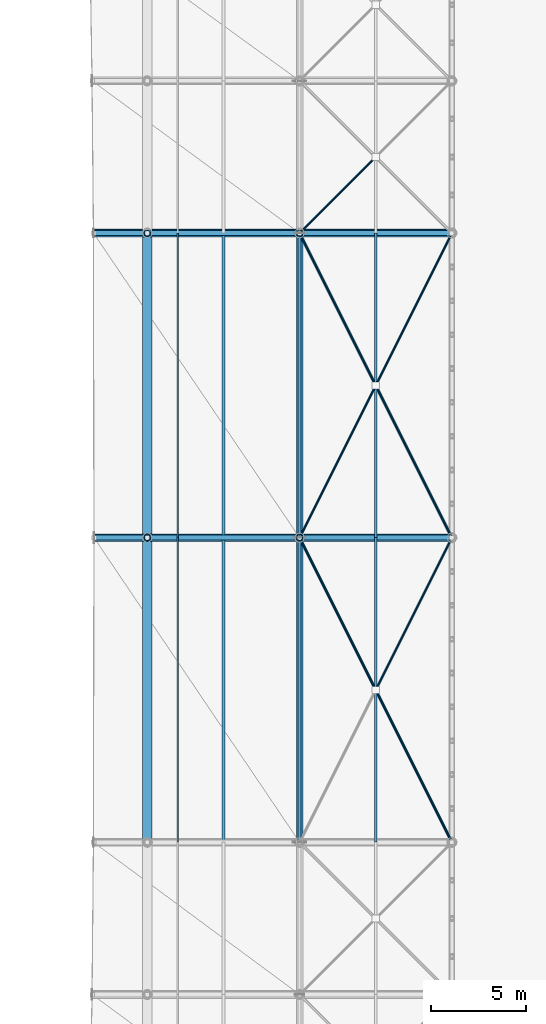
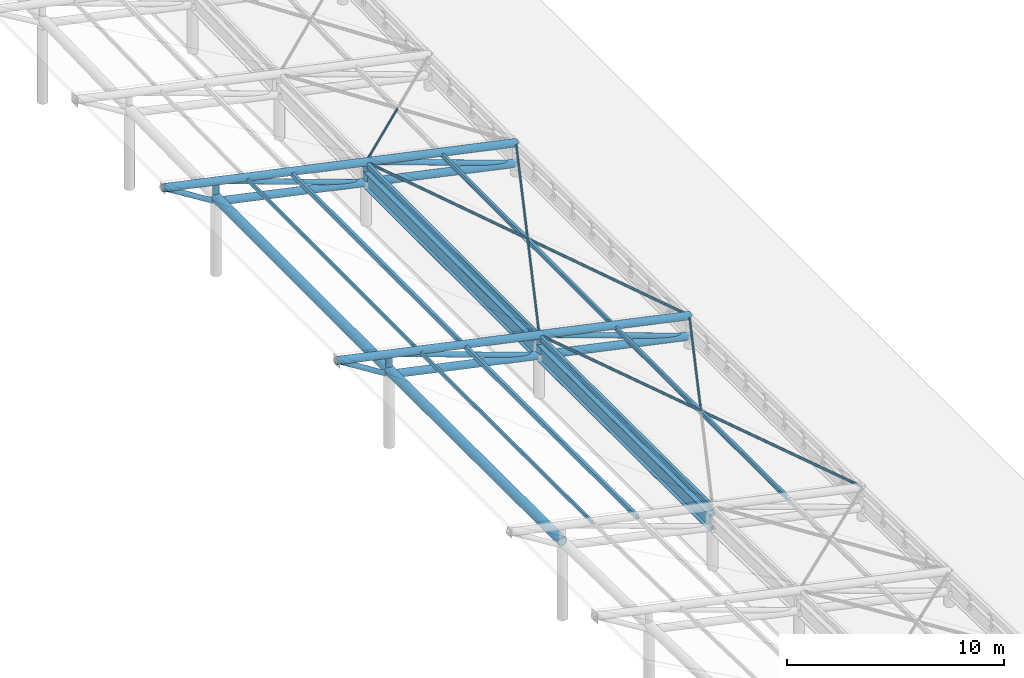
# One storey, part 15 of 41: 28 members, 4 beams.
"""IFC4 building model written with IfcOpenShell, lengths in metres."""

from ifc_helpers import new_model, si_unit, direction, frame, origin, origin_2d, place, context, subcontext, project, spatial, hollow_rectangle, hollow_circle, i_section, extrude, material, material_profile, profile_set, type_object, element, save


model = new_model("IFC4")

# Units and contexts
model_context = context("Model", 3, precision=1e-05, world=origin(), true_north=direction((0.0, 1.0)))
body_context = subcontext(model_context, "Body", "Model", "MODEL_VIEW")
ifc_project = project(units=[si_unit("LENGTHUNIT", "METRE"), si_unit("AREAUNIT", "SQUARE_METRE"), si_unit("VOLUMEUNIT", "CUBIC_METRE"), si_unit("PLANEANGLEUNIT", "RADIAN"), si_unit("MASSUNIT", "GRAM", prefix="KILO")], contexts=[model_context])

# Site, building, storey
site_placement = place(None, origin())
site = spatial("IfcSite", under=ifc_project, at=site_placement, CompositionType="ELEMENT")
building_placement = place(site_placement, origin())
building = spatial("IfcBuilding", under=site, at=building_placement, Name="Haebicheon Civic Stadium", CompositionType="ELEMENT")
storey_placement = place(building_placement, frame((0.0, 0.0, 27.0)))
storey = spatial("IfcBuildingStorey", under=building, at=storey_placement, Name="L07", CompositionType="ELEMENT", Elevation=27.0)

# Members
ifc_material_1 = material(Name="White painted steel SM490", Category="steel")
ifc_material_profile_1 = material_profile(ifc_material_1, hollow_circle(Radius=0.05712890625, WallThickness=0.006103515625, at=origin_2d()), Name="CHS-114.3x6.0")
ifc_profile_set_1 = profile_set([ifc_material_profile_1], Name="White painted steel SM490")
member_type_1 = type_object("IfcMemberType", Name="BRC-CHS114", PredefinedType="BRACE", material=ifc_profile_set_1)
member_1_placement = place(storey_placement, frame((152.0, 88.0, 1.72705078125), z_axis=(-0.445059488289, -0.890118976579, 0.098031930602), x_axis=(0.894427191, -0.4472135955, 0.0)))
element("IfcMember", 1, at=member_1_placement, inside=storey, type_object=member_type_1, material=ifc_profile_set_1, Name="BR114 diagonal brace CAN-EAST canopy bay 4 B1", PredefinedType="BRACE", context=body_context, shape_type="SweptSolid", body=[
    extrude(hollow_circle(Radius=0.05712890625, WallThickness=0.006103515625, at=origin_2d()), origin(), (0.0, 0.0, 1.0), 8.915771484375),
])
member_2_placement = place(storey_placement, frame((152.0, 104.0, 1.76806640625), z_axis=(-0.445255623172, -0.890511246344, 0.09347272419), x_axis=(0.894427191, -0.4472135955, 0.0)))
element("IfcMember", 2, at=member_2_placement, inside=storey, type_object=member_type_1, material=ifc_profile_set_1, Name="BR114 diagonal brace CAN-EAST canopy bay 5 B1", PredefinedType="BRACE", context=body_context, shape_type="SweptSolid", body=[
    extrude(hollow_circle(Radius=0.05712890625, WallThickness=0.006103515625, at=origin_2d()), origin(), (0.0, 0.0, 1.0), 8.911865234375),
])
member_3_placement = place(storey_placement, frame((147.968017578125, 95.93603515625, 2.614990234375), z_axis=(-0.445260181255, -0.89052036251, 0.093364098795), x_axis=(0.894427191, -0.4472135955, 0.0)))
element("IfcMember", 3, at=member_3_placement, inside=storey, type_object=member_type_1, material=ifc_profile_set_1, Name="BR114 diagonal brace CAN-EAST canopy bay 5 B2", PredefinedType="BRACE", context=body_context, shape_type="SweptSolid", body=[
    extrude(hollow_circle(Radius=0.05712890625, WallThickness=0.006103515625, at=origin_2d()), origin(), (0.0, 0.0, 1.0), 8.91162109375),
])
member_4_placement = place(storey_placement, frame((147.949951171875, 107.949951171875, 2.699951171875), z_axis=(-0.700173096824, -0.700173096824, 0.13969706141), x_axis=(0.707106781187, -0.707106781187, 0.0)))
element("IfcMember", 4, at=member_4_placement, inside=storey, type_object=member_type_1, material=ifc_profile_set_1, Name="BR114 diagonal brace CAN-EAST canopy bay 6 B2", PredefinedType="BRACE", context=body_context, shape_type="SweptSolid", body=[
    extrude(hollow_circle(Radius=0.05712890625, WallThickness=0.006103515625, at=origin_2d()), origin(), (0.0, 0.0, 1.0), 5.641357421875),
])
ifc_material_2 = material(Name="White painted steel SM490", Category="steel")
ifc_material_profile_2 = material_profile(ifc_material_2, hollow_circle(Radius=0.06982421875, WallThickness=0.006591796875, at=origin_2d()), Name="CHS-139.8x6.6")
ifc_profile_set_2 = profile_set([ifc_material_profile_2], Name="White painted steel SM490")
member_type_2 = type_object("IfcMemberType", Name="BRC-CHS139", PredefinedType="BRACE", material=ifc_profile_set_2)
member_5_placement = place(storey_placement, frame((152.0, 72.0, 1.76806640625), z_axis=(-0.445256755076, 0.890513510152, 0.093445761251), x_axis=(-0.894427191, -0.4472135955, 0.0)))
element("IfcMember", 5, at=member_5_placement, inside=storey, type_object=member_type_2, material=ifc_profile_set_2, Name="BR139 diagonal brace CAN-EAST canopy bay 4 A", PredefinedType="BRACE", context=body_context, shape_type="SweptSolid", body=[
    extrude(hollow_circle(Radius=0.06982421875, WallThickness=0.006591796875, at=origin_2d()), origin(), (0.0, 0.0, 1.0), 17.967041015625),
])
member_6_placement = place(storey_placement, frame((152.0, 88.0, 1.72705078125), z_axis=(-0.445062278477, 0.890124556955, 0.097968573445), x_axis=(-0.894427191, -0.4472135955, 0.0)))
element("IfcMember", 6, at=member_6_placement, inside=storey, type_object=member_type_2, material=ifc_profile_set_2, Name="BR139 diagonal brace CAN-EAST canopy bay 5 A", PredefinedType="BRACE", context=body_context, shape_type="SweptSolid", body=[
    extrude(hollow_circle(Radius=0.06982421875, WallThickness=0.006591796875, at=origin_2d()), origin(), (0.0, 0.0, 1.0), 17.97509765625),
])
ifc_material_3 = material(Name="White painted steel SM490", Category="steel")
ifc_material_profile_3 = material_profile(ifc_material_3, hollow_circle(Radius=0.1337890625, WallThickness=0.011962890625, at=origin_2d()), Name="CHS-267.4x12.0")
ifc_profile_set_3 = profile_set([ifc_material_profile_3], Name="White painted steel SM490")
member_type_3 = type_object("IfcMemberType", Name="BRC-CHS267", PredefinedType="BRACE", material=ifc_profile_set_3)
member_7_placement = place(storey_placement, frame((135.881103515625, 88.0, 4.091064453125), z_axis=(-0.847677255157, 0.0, 0.530512272327), x_axis=(0.0, -1.0, 0.0)))
element("IfcMember", 7, at=member_7_placement, inside=storey, type_object=member_type_3, material=ifc_profile_set_3, Name="BR267 diagonal brace CAN-EAST truss 5 tip", PredefinedType="BRACE", context=body_context, shape_type="SweptSolid", body=[
    extrude(hollow_circle(Radius=0.1337890625, WallThickness=0.011962890625, at=origin_2d()), origin(), (0.0, 0.0, 1.0), 3.162841796875),
])
for number, where, z_axis, x_axis, name in (
    (8, (152.0, 88.0, 0.576904296875), (-0.941257424358, 0.0, 0.337689888939), (0.0, -1.0, 0.0), "BR267 diagonal brace CAN-EAST truss 5 D1"),
    (9, (144.0, 88.0, 2.297119140625), (-0.9412665544, 0.0, 0.3376644393), (0.0, -1.0, 0.0), "BR267 diagonal brace CAN-EAST truss 5 D2"),
):
    element("IfcMember", number, at=place(storey_placement, frame(where, z_axis=z_axis, x_axis=x_axis)), inside=storey, type_object=member_type_3, material=ifc_profile_set_3, Name=name, PredefinedType="BRACE", context=body_context, shape_type="SweptSolid", body=[
        extrude(hollow_circle(Radius=0.1337890625, WallThickness=0.011962890625, at=origin_2d()), origin(), (0.0, 0.0, 1.0), 8.499267578125),
    ])
member_8_placement = place(storey_placement, frame((135.881103515625, 104.0, 4.132080078125), z_axis=(-0.849184113658, 0.0, 0.528096905038), x_axis=(0.0, -1.0, 0.0)))
element("IfcMember", 10, at=member_8_placement, inside=storey, type_object=member_type_3, material=ifc_profile_set_3, Name="BR267 diagonal brace CAN-EAST truss 6 tip", PredefinedType="BRACE", context=body_context, shape_type="SweptSolid", body=[
    extrude(hollow_circle(Radius=0.1337890625, WallThickness=0.011962890625, at=origin_2d()), origin(), (0.0, 0.0, 1.0), 3.186767578125),
])
for number, where, z_axis, x_axis, name in (
    (11, (152.0, 104.0, 0.617919921875), (-0.941257424358, 0.0, 0.337689888939), (0.0, -1.0, 0.0), "BR267 diagonal brace CAN-EAST truss 6 D1"),
    (12, (144.0, 104.0, 2.337890625), (-0.941257424358, 0.0, 0.337689888939), (0.0, -1.0, 0.0), "BR267 diagonal brace CAN-EAST truss 6 D2"),
):
    element("IfcMember", number, at=place(storey_placement, frame(where, z_axis=z_axis, x_axis=x_axis)), inside=storey, type_object=member_type_3, material=ifc_profile_set_3, Name=name, PredefinedType="BRACE", context=body_context, shape_type="SweptSolid", body=[
        extrude(hollow_circle(Radius=0.1337890625, WallThickness=0.011962890625, at=origin_2d()), origin(), (0.0, 0.0, 1.0), 8.499267578125),
    ])
ifc_material_4 = material(Name="White painted steel SM490", Category="steel")
ifc_material_profile_4 = material_profile(ifc_material_4, hollow_circle(Radius=0.203125, WallThickness=0.01806640625, at=origin_2d()), Name="CHS-406.4x18.0")
ifc_profile_set_4 = profile_set([ifc_material_profile_4], Name="White painted steel SM490")
member_type_4 = type_object("IfcMemberType", Name="CHD-CHS406", PredefinedType="CHORD", material=ifc_profile_set_4)
member_9_placement = place(storey_placement, frame((152.0, 88.0, 1.72705078125), z_axis=(-0.977659309739, 0.0, 0.21019579939), x_axis=(0.0, -1.0, 0.0)))
element("IfcMember", 13, at=member_9_placement, inside=storey, type_object=member_type_4, material=ifc_profile_set_4, Name="CH406 truss chord CAN-EAST 5 top", PredefinedType="CHORD", context=body_context, shape_type="SweptSolid", body=[
    extrude(hollow_circle(Radius=0.203125, WallThickness=0.01806640625, at=origin_2d()), origin(), (0.0, 0.0, 1.0), 19.229736328125),
])
member_10_placement = place(storey_placement, frame((152.0, 88.0, 0.576904296875), z_axis=(-0.977656784121, 0.0, 0.210207546159), x_axis=(0.0, -1.0, 0.0)))
element("IfcMember", 14, at=member_10_placement, inside=storey, type_object=member_type_4, material=ifc_profile_set_4, Name="CH406 truss chord CAN-EAST 5 bottom", PredefinedType="CHORD", context=body_context, shape_type="SweptSolid", body=[
    extrude(hollow_circle(Radius=0.203125, WallThickness=0.01806640625, at=origin_2d()), origin(), (0.0, 0.0, 1.0), 16.36572265625),
])
member_11_placement = place(storey_placement, frame((152.0, 104.0, 1.76806640625), z_axis=(-0.977664338006, 0.0, 0.210172410634), x_axis=(0.0, -1.0, 0.0)))
element("IfcMember", 15, at=member_11_placement, inside=storey, type_object=member_type_4, material=ifc_profile_set_4, Name="CH406 truss chord CAN-EAST 6 top", PredefinedType="CHORD", context=body_context, shape_type="SweptSolid", body=[
    extrude(hollow_circle(Radius=0.203125, WallThickness=0.01806640625, at=origin_2d()), origin(), (0.0, 0.0, 1.0), 19.255126953125),
])
member_12_placement = place(storey_placement, frame((152.0, 104.0, 0.617919921875), z_axis=(-0.977656784121, 0.0, 0.210207546159), x_axis=(0.0, -1.0, 0.0)))
element("IfcMember", 16, at=member_12_placement, inside=storey, type_object=member_type_4, material=ifc_profile_set_4, Name="CH406 truss chord CAN-EAST 6 bottom", PredefinedType="CHORD", context=body_context, shape_type="SweptSolid", body=[
    extrude(hollow_circle(Radius=0.203125, WallThickness=0.01806640625, at=origin_2d()), origin(), (0.0, 0.0, 1.0), 16.36572265625),
])
ifc_material_5 = material(Name="White painted steel SM490", Category="steel")
ifc_material_profile_5 = material_profile(ifc_material_5, hollow_rectangle(XDim=0.10009765625, YDim=0.199951171875, WallThickness=0.008056640625, at=origin_2d()), Name="RHS-200x100x8.0")
ifc_profile_set_5 = profile_set([ifc_material_profile_5], Name="White painted steel SM490")
member_type_5 = type_object("IfcMemberType", Name="PRL-RHS200", PredefinedType="RAFTER", material=ifc_profile_set_5)
for number, where, z_axis, x_axis, name in (
    (17, (137.60009765625, 72.0, 4.822021484375), (0.0, 0.99999671431, -0.00256346814), (-1.0, 0.0, 0.0), "CAN-EAST canopy purlin bay 4 (90%)"),
    (18, (137.60009765625, 88.0, 4.781005859375), (0.0, 0.99999671431, 0.00256346814), (-1.0, 0.0, 0.0), "CAN-EAST canopy purlin bay 5 (90%)"),
):
    element("IfcMember", number, at=place(storey_placement, frame(where, z_axis=z_axis, x_axis=x_axis)), inside=storey, type_object=member_type_5, material=ifc_profile_set_5, Name=name, PredefinedType="RAFTER", context=body_context, shape_type="SweptSolid", body=[
        extrude(hollow_rectangle(XDim=0.10009765625, YDim=0.199951171875, WallThickness=0.008056640625, at=origin_2d()), origin(), (0.0, 0.0, 1.0), 16.0),
    ])
ifc_material_6 = material(Name="White painted steel SM490", Category="steel")
ifc_material_profile_6 = material_profile(ifc_material_6, hollow_rectangle(XDim=0.14990234375, YDim=0.25, WallThickness=0.010009765625, at=origin_2d()), Name="RHS-250x150x10.0")
ifc_profile_set_6 = profile_set([ifc_material_profile_6], Name="White painted steel SM490")
member_type_6 = type_object("IfcMemberType", Name="PRL-RHS250", PredefinedType="PURLIN", material=ifc_profile_set_6)
for number, where, z_axis, x_axis, name in (
    (19, (140.0, 72.0, 4.281005859375), (0.0, 0.99999671431, -0.00256346814), (-1.0, 0.0, 0.0), "CAN-EAST canopy purlin bay 4 (75%)"),
    (20, (140.0, 88.0, 4.239990234375), (0.0, 0.99999671431, 0.00256346814), (-1.0, 0.0, 0.0), "CAN-EAST canopy purlin bay 5 (75%)"),
):
    element("IfcMember", number, at=place(storey_placement, frame(where, z_axis=z_axis, x_axis=x_axis)), inside=storey, type_object=member_type_6, material=ifc_profile_set_6, Name=name, PredefinedType="PURLIN", context=body_context, shape_type="SweptSolid", body=[
        extrude(hollow_rectangle(XDim=0.14990234375, YDim=0.25, WallThickness=0.010009765625, at=origin_2d()), origin(), (0.0, 0.0, 1.0), 16.0),
    ])
ifc_material_7 = material(Name="White painted steel SM490", Category="steel")
ifc_material_profile_7 = material_profile(ifc_material_7, i_section(OverallWidth=0.125, OverallDepth=0.25, WebThickness=0.006103515625, FlangeThickness=0.009033203125, at=origin_2d()), Name="H-250x125x6x9")
ifc_profile_set_7 = profile_set([ifc_material_profile_7], Name="White painted steel SM490")
member_type_7 = type_object("IfcMemberType", Name="PRL-ST-H250", PredefinedType="PURLIN", material=ifc_profile_set_7)
for number, where, z_axis, x_axis, name in (
    (21, (148.0, 72.0, 2.56103515625), (0.0, 0.99999671431, -0.00256346814), (-1.0, 0.0, 0.0), "CAN-EAST canopy purlin bay 4 (25%)"),
    (22, (148.0, 88.0, 2.52001953125), (0.0, 0.99999671431, 0.00256346814), (-1.0, 0.0, 0.0), "CAN-EAST canopy purlin bay 5 (25%)"),
):
    element("IfcMember", number, at=place(storey_placement, frame(where, z_axis=z_axis, x_axis=x_axis)), inside=storey, type_object=member_type_7, material=ifc_profile_set_7, Name=name, PredefinedType="PURLIN", context=body_context, shape_type="SweptSolid", body=[
        extrude(i_section(OverallWidth=0.125, OverallDepth=0.25, WebThickness=0.006103515625, FlangeThickness=0.009033203125, at=origin_2d()), origin(), (0.0, 0.0, 1.0), 16.0),
    ])
ifc_material_8 = material(Name="White painted steel SM490", Category="steel")
ifc_material_profile_8 = material_profile(ifc_material_8, i_section(OverallWidth=0.14990234375, OverallDepth=0.300048828125, WebThickness=0.006591796875, FlangeThickness=0.009033203125, at=origin_2d()), Name="H-300x150x6.5x9")
ifc_profile_set_8 = profile_set([ifc_material_profile_8], Name="White painted steel SM490")
member_type_8 = type_object("IfcMemberType", Name="PRL-ST-H300", PredefinedType="PURLIN", material=ifc_profile_set_8)
for number, where, z_axis, x_axis, name in (
    (23, (144.0, 72.0, 3.39599609375), (0.0, 0.99999671431, -0.00256346814), (-1.0, 0.0, 0.0), "CAN-EAST canopy purlin bay 4 (50%)"),
    (24, (144.0, 88.0, 3.35498046875), (0.0, 0.99999671431, 0.00256346814), (-1.0, 0.0, 0.0), "CAN-EAST canopy purlin bay 5 (50%)"),
):
    element("IfcMember", number, at=place(storey_placement, frame(where, z_axis=z_axis, x_axis=x_axis)), inside=storey, type_object=member_type_8, material=ifc_profile_set_8, Name=name, PredefinedType="PURLIN", context=body_context, shape_type="SweptSolid", body=[
        extrude(i_section(OverallWidth=0.14990234375, OverallDepth=0.300048828125, WebThickness=0.006591796875, FlangeThickness=0.009033203125, at=origin_2d()), origin(), (0.0, 0.0, 1.0), 16.0),
    ])

# Beams
ifc_material_9 = material(Name="White painted steel SM490", Category="steel")
ifc_material_profile_9 = material_profile(ifc_material_9, hollow_circle(Radius=0.25390625, WallThickness=0.02490234375, at=origin_2d()), Name="CHS-508.0x25.0")
ifc_profile_set_9 = profile_set([ifc_material_profile_9], Name="White painted steel SM490")
beam_type_1 = type_object("IfcBeamType", Name="RB-ST-CHS508", PredefinedType="USERDEFINED", material=ifc_profile_set_9)
for number, where, z_axis, x_axis, name in (
    (25, (136.0, 72.0, 4.30810546875), (0.0, 0.99999671431, -0.00256346814), (-1.0, 0.0, 0.0), "CAN-EAST polygonal ring beam RB-PIR bay 4"),
    (26, (136.0, 88.0, 4.26708984375), (0.0, 0.99999671431, 0.00256346814), (-1.0, 0.0, 0.0), "CAN-EAST polygonal ring beam RB-PIR bay 5"),
):
    element("IfcBeam", number, at=place(storey_placement, frame(where, z_axis=z_axis, x_axis=x_axis)), inside=storey, type_object=beam_type_1, material=ifc_profile_set_9, Name=name, ObjectType="RING BEAM", PredefinedType="USERDEFINED", context=body_context, shape_type="SweptSolid", body=[
        extrude(hollow_circle(Radius=0.25390625, WallThickness=0.02490234375, at=origin_2d()), origin(), (0.0, 0.0, 1.0), 16.0),
    ])
ifc_material_10 = material(Name="White painted steel SM490", Category="steel")
ifc_material_profile_10 = material_profile(ifc_material_10, i_section(OverallWidth=0.35009765625, OverallDepth=0.89990234375, WebThickness=0.01806640625, FlangeThickness=0.031982421875, at=origin_2d()), Name="H-900x350x18x32")
ifc_profile_set_10 = profile_set([ifc_material_profile_10], Name="White painted steel SM490")
beam_type_2 = type_object("IfcBeamType", Name="RB-ST-H900A", PredefinedType="USERDEFINED", material=ifc_profile_set_10)
for number, where, z_axis, x_axis, name in (
    (27, (144.0, 72.0, 2.587890625), (0.0, 0.999996753309, -0.0025482095), (-1.0, 0.0, 0.0), "CAN-EAST polygonal ring beam RB-PIV bay 4"),
    (28, (144.0, 88.0, 2.547119140625), (0.0, 0.999996753309, 0.0025482095), (-1.0, 0.0, 0.0), "CAN-EAST polygonal ring beam RB-PIV bay 5"),
):
    element("IfcBeam", number, at=place(storey_placement, frame(where, z_axis=z_axis, x_axis=x_axis)), inside=storey, type_object=beam_type_2, material=ifc_profile_set_10, Name=name, ObjectType="RING BEAM", PredefinedType="USERDEFINED", context=body_context, shape_type="SweptSolid", body=[
        extrude(i_section(OverallWidth=0.35009765625, OverallDepth=0.89990234375, WebThickness=0.01806640625, FlangeThickness=0.031982421875, at=origin_2d()), origin(), (0.0, 0.0, 1.0), 16.0),
    ])

# Members
ifc_material_11 = material(Name="White painted steel SM490", Category="steel")
ifc_material_profile_11 = material_profile(ifc_material_11, hollow_circle(Radius=0.1591796875, WallThickness=0.013916015625, at=origin_2d()), Name="CHS-318.5x14.0")
ifc_profile_set_11 = profile_set([ifc_material_profile_11], Name="White painted steel SM490")
member_type_9 = type_object("IfcMemberType", Name="STR-CHS318", PredefinedType="STRUT", material=ifc_profile_set_11)
for number, where, z_axis, x_axis, name in (
    (29, (144.0, 88.0, 2.297119140625), (0.0, 0.0, 1.0), (1.0, 0.0, 0.0), "ST318 web strut CAN-EAST truss 5 VP"),
    (30, (136.0, 88.0, 4.01708984375), (0.0, 0.0, 1.0), (1.0, 0.0, 0.0), "ST318 web strut CAN-EAST truss 5 VR"),
):
    element("IfcMember", number, at=place(storey_placement, frame(where, z_axis=z_axis, x_axis=x_axis)), inside=storey, type_object=member_type_9, material=ifc_profile_set_11, Name=name, PredefinedType="STRUT", context=body_context, shape_type="SweptSolid", body=[
        extrude(hollow_circle(Radius=0.1591796875, WallThickness=0.013916015625, at=origin_2d()), origin(), (0.0, 0.0, 1.0), 1.14990234375),
    ])
member_13_placement = place(storey_placement, frame((144.0, 104.0, 2.337890625), z_axis=(0.0, 0.0, 1.0), x_axis=(1.0, 0.0, 0.0)))
element("IfcMember", 31, at=member_13_placement, inside=storey, type_object=member_type_9, material=ifc_profile_set_11, Name="ST318 web strut CAN-EAST truss 6 VP", PredefinedType="STRUT", context=body_context, shape_type="SweptSolid", body=[
    extrude(hollow_circle(Radius=0.1591796875, WallThickness=0.013916015625, at=origin_2d()), origin(), (0.0, 0.0, 1.0), 1.150146484375),
])
member_14_placement = place(storey_placement, frame((136.0, 104.0, 4.05810546875), z_axis=(0.0, 0.0, 1.0), x_axis=(1.0, 0.0, 0.0)))
element("IfcMember", 32, at=member_14_placement, inside=storey, type_object=member_type_9, material=ifc_profile_set_11, Name="ST318 web strut CAN-EAST truss 6 VR", PredefinedType="STRUT", context=body_context, shape_type="SweptSolid", body=[
    extrude(hollow_circle(Radius=0.1591796875, WallThickness=0.013916015625, at=origin_2d()), origin(), (0.0, 0.0, 1.0), 1.14990234375),
])

save(model, "model.ifc")
